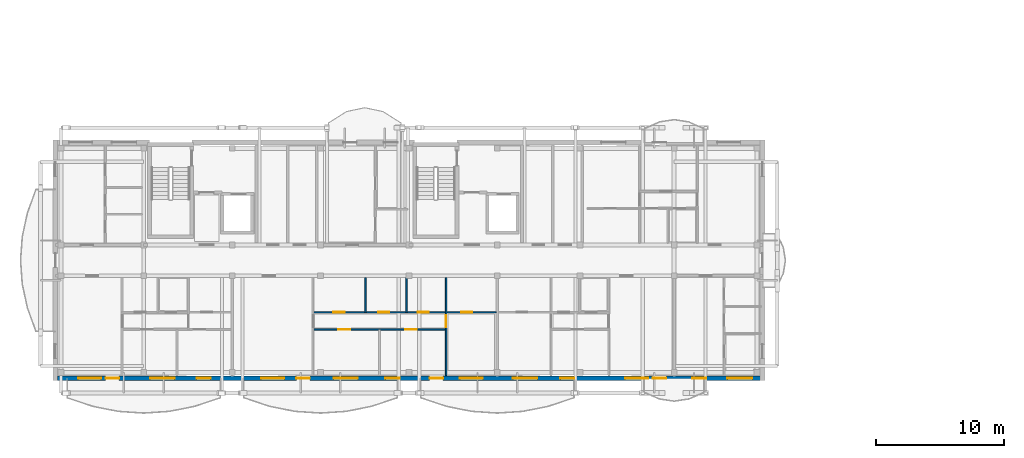
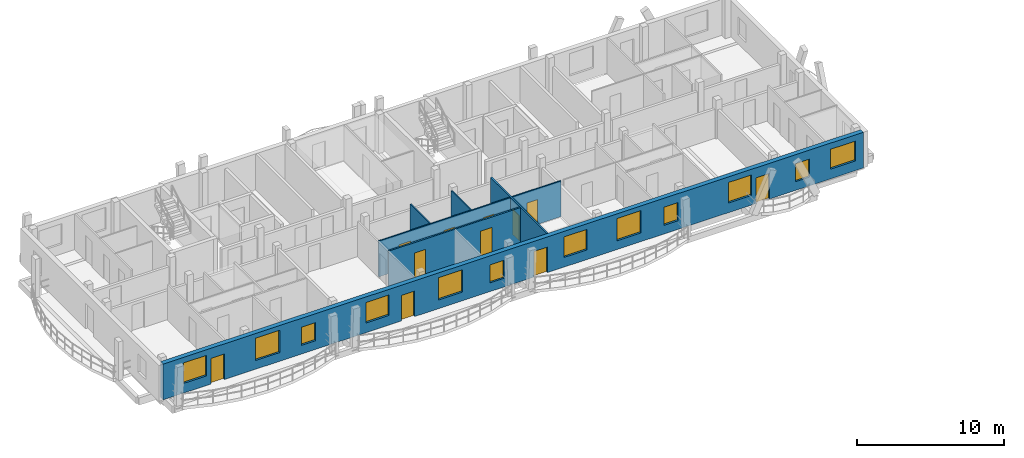
# One storey, part 14 of 41: 12 windows, 11 doors, 6 walls, 23 openings.
"""IFC4 building model written with IfcOpenShell, lengths in metres."""

from ifc_helpers import new_model, si_unit, direction, frame, frame_2d, origin, origin_with_axes, place, context, subcontext, project, spatial, rectangle, extrude, material, layer, layer_set, type_object, element, fill, save


model = new_model("IFC4")

# Units and contexts
model_context = context("Model", 3, precision=1e-05, world=origin(), true_north=direction((0.0, 1.0)))
body_context = subcontext(model_context, "Body", "Model", "MODEL_VIEW")
ifc_project = project(units=[si_unit("LENGTHUNIT", "METRE"), si_unit("AREAUNIT", "SQUARE_METRE"), si_unit("VOLUMEUNIT", "CUBIC_METRE"), si_unit("PLANEANGLEUNIT", "RADIAN"), si_unit("MASSUNIT", "GRAM", prefix="KILO")], contexts=[model_context])

# Site, building, storey
site_placement = place(None, origin())
site = spatial("IfcSite", under=ifc_project, at=site_placement, CompositionType="ELEMENT")
building_placement = place(site_placement, origin())
building = spatial("IfcBuilding", under=site, at=building_placement, Name="Zavelmont Quarter", CompositionType="ELEMENT")
storey_placement = place(building_placement, frame((0.0, 0.0, 27.199951171875)))
storey = spatial("IfcBuildingStorey", under=building, at=storey_placement, Name="L08", CompositionType="ELEMENT", Elevation=27.199951171875)

# Wall, openings, doors, windows
ifc_material_1 = material(Name="Natural Belgian limestone", Category="masonry")
ifc_layer_1 = layer(ifc_material_1, 0.360107421875)
ifc_layer_set_1 = layer_set([ifc_layer_1], Name="Natural Belgian limestone")
wall_type_1 = type_object("IfcWallType", Name="EW02", PredefinedType="STANDARD", material=ifc_layer_set_1)
wall_1_placement = place(storey_placement, frame((0.169921875, 0.0, 0.0), z_axis=(0.0, 0.0, 1.0), x_axis=(1.0, 0.0, 0.0)))
wall_1 = element("IfcWall", 1, at=wall_1_placement, inside=storey, type_object=wall_type_1, Name="L08 exterior limestone wall EW02", PredefinedType="STANDARD", context=body_context, shape_type="SweptSolid", body=[
    extrude(rectangle(XDim=54.860107421875, YDim=0.360107421875, at=frame_2d((27.43017578125, 0.0))), origin(), (0.0, 0.0, 1.0), 2.9599609375),
])
opening_1_placement = place(wall_1_placement, frame((3.75, 0.0, 0.0)))
opening_1 = element("IfcOpeningElement", 2, at=opening_1_placement, cuts=wall_1, Name="Opening DR04A", PredefinedType="OPENING", context=body_context, shape_type="SweptSolid", body=[
    extrude(rectangle(XDim=1.050048828125, YDim=2.1201171875, at=frame_2d((0.52490234375, 1.06005859375))), frame((0.0, 0.19189453125, 0.0), z_axis=(0.0, -1.0, 0.0), x_axis=(1.0, 0.0, 0.0)), (0.0, 0.0, 1.0), 0.384033203125),
])
opening_2_placement = place(wall_1_placement, frame((18.64990234375, 0.0, 0.0)))
opening_2 = element("IfcOpeningElement", 3, at=opening_2_placement, cuts=wall_1, Name="Opening DR04A", PredefinedType="OPENING", context=body_context, shape_type="SweptSolid", body=[
    extrude(rectangle(XDim=1.050048828125, YDim=2.1201171875, at=frame_2d((0.52490234375, 1.06005859375))), frame((0.0, 0.19189453125, 0.0), z_axis=(0.0, -1.0, 0.0), x_axis=(1.0, 0.0, 0.0)), (0.0, 0.0, 1.0), 0.384033203125),
])
opening_3_placement = place(wall_1_placement, frame((29.050048828125, 0.0, 0.0)))
opening_3 = element("IfcOpeningElement", 4, at=opening_3_placement, cuts=wall_1, Name="Opening DR04A", PredefinedType="OPENING", context=body_context, shape_type="SweptSolid", body=[
    extrude(rectangle(XDim=1.050048828125, YDim=2.1201171875, at=frame_2d((0.52490234375, 1.06005859375))), frame((0.0, 0.19189453125, 0.0), z_axis=(0.0, -1.0, 0.0), x_axis=(1.0, 0.0, 0.0)), (0.0, 0.0, 1.0), 0.384033203125),
])
opening_4_placement = place(wall_1_placement, frame((46.447265625, 0.0, 0.0)))
opening_4 = element("IfcOpeningElement", 5, at=opening_4_placement, cuts=wall_1, Name="Opening DR04A", PredefinedType="OPENING", context=body_context, shape_type="SweptSolid", body=[
    extrude(rectangle(XDim=1.050048828125, YDim=2.1201171875, at=frame_2d((0.52490234375, 1.06005859375))), frame((0.0, 0.19189453125, 0.0), z_axis=(0.0, -1.0, 0.0), x_axis=(1.0, 0.0, 0.0)), (0.0, 0.0, 1.0), 0.384033203125),
])
opening_5_placement = place(wall_1_placement, frame((1.60009765625, 0.0, 0.800048828125)))
opening_5 = element("IfcOpeningElement", 6, at=opening_5_placement, cuts=wall_1, Name="Opening WN02", PredefinedType="OPENING", context=body_context, shape_type="SweptSolid", body=[
    extrude(rectangle(XDim=1.800048828125, YDim=1.699951171875, at=frame_2d((0.89990234375, 0.85009765625))), frame((0.0, 0.19189453125, 0.0), z_axis=(0.0, -1.0, 0.0), x_axis=(1.0, 0.0, 0.0)), (0.0, 0.0, 1.0), 0.384033203125),
])
opening_6_placement = place(wall_1_placement, frame((7.232421875, 0.0, 0.719970703125)))
opening_6 = element("IfcOpeningElement", 7, at=opening_6_placement, cuts=wall_1, Name="Opening WN20", PredefinedType="OPENING", context=body_context, shape_type="SweptSolid", body=[
    extrude(rectangle(XDim=1.89990234375, YDim=1.85009765625, at=frame_2d((0.949951171875, 0.925048828125))), frame((0.0, 0.19189453125, 0.0), z_axis=(0.0, -1.0, 0.0), x_axis=(1.0, 0.0, 0.0)), (0.0, 0.0, 1.0), 0.384033203125),
])
opening_7_placement = place(wall_1_placement, frame((10.85009765625, 0.0, 0.719970703125)))
opening_7 = element("IfcOpeningElement", 8, at=opening_7_placement, cuts=wall_1, Name="Opening WN09", PredefinedType="OPENING", context=body_context, shape_type="SweptSolid", body=[
    extrude(rectangle(XDim=1.10009765625, YDim=1.5, at=frame_2d((0.550048828125, 0.75))), frame((0.0, 0.19189453125, 0.0), z_axis=(0.0, -1.0, 0.0), x_axis=(1.0, 0.0, 0.0)), (0.0, 0.0, 1.0), 0.384033203125),
])
opening_8_placement = place(wall_1_placement, frame((15.89990234375, 0.0, 0.800048828125)))
opening_8 = element("IfcOpeningElement", 9, at=opening_8_placement, cuts=wall_1, Name="Opening WN02", PredefinedType="OPENING", context=body_context, shape_type="SweptSolid", body=[
    extrude(rectangle(XDim=1.800048828125, YDim=1.699951171875, at=frame_2d((0.89990234375, 0.85009765625))), frame((0.0, 0.19189453125, 0.0), z_axis=(0.0, -1.0, 0.0), x_axis=(1.0, 0.0, 0.0)), (0.0, 0.0, 1.0), 0.384033203125),
])
opening_9_placement = place(wall_1_placement, frame((21.550048828125, 0.0, 0.719970703125)))
opening_9 = element("IfcOpeningElement", 10, at=opening_9_placement, cuts=wall_1, Name="Opening WN20", PredefinedType="OPENING", context=body_context, shape_type="SweptSolid", body=[
    extrude(rectangle(XDim=1.89990234375, YDim=1.85009765625, at=frame_2d((0.949951171875, 0.925048828125))), frame((0.0, 0.19189453125, 0.0), z_axis=(0.0, -1.0, 0.0), x_axis=(1.0, 0.0, 0.0)), (0.0, 0.0, 1.0), 0.384033203125),
])
opening_10_placement = place(wall_1_placement, frame((25.60009765625, 0.0, 0.719970703125)))
opening_10 = element("IfcOpeningElement", 11, at=opening_10_placement, cuts=wall_1, Name="Opening WN09", PredefinedType="OPENING", context=body_context, shape_type="SweptSolid", body=[
    extrude(rectangle(XDim=1.10009765625, YDim=1.5, at=frame_2d((0.550048828125, 0.75))), frame((0.0, 0.19189453125, 0.0), z_axis=(0.0, -1.0, 0.0), x_axis=(1.0, 0.0, 0.0)), (0.0, 0.0, 1.0), 0.384033203125),
])
opening_11_placement = place(wall_1_placement, frame((31.39990234375, 0.0, 0.800048828125)))
opening_11 = element("IfcOpeningElement", 12, at=opening_11_placement, cuts=wall_1, Name="Opening WN02", PredefinedType="OPENING", context=body_context, shape_type="SweptSolid", body=[
    extrude(rectangle(XDim=1.800048828125, YDim=1.699951171875, at=frame_2d((0.89990234375, 0.85009765625))), frame((0.0, 0.19189453125, 0.0), z_axis=(0.0, -1.0, 0.0), x_axis=(1.0, 0.0, 0.0)), (0.0, 0.0, 1.0), 0.384033203125),
])
opening_12_placement = place(wall_1_placement, frame((35.550048828125, 0.0, 0.719970703125)))
opening_12 = element("IfcOpeningElement", 13, at=opening_12_placement, cuts=wall_1, Name="Opening WN20", PredefinedType="OPENING", context=body_context, shape_type="SweptSolid", body=[
    extrude(rectangle(XDim=1.89990234375, YDim=1.85009765625, at=frame_2d((0.949951171875, 0.925048828125))), frame((0.0, 0.19189453125, 0.0), z_axis=(0.0, -1.0, 0.0), x_axis=(1.0, 0.0, 0.0)), (0.0, 0.0, 1.0), 0.384033203125),
])
opening_13_placement = place(wall_1_placement, frame((39.25, 0.0, 0.719970703125)))
opening_13 = element("IfcOpeningElement", 14, at=opening_13_placement, cuts=wall_1, Name="Opening WN09", PredefinedType="OPENING", context=body_context, shape_type="SweptSolid", body=[
    extrude(rectangle(XDim=1.10009765625, YDim=1.5, at=frame_2d((0.550048828125, 0.75))), frame((0.0, 0.19189453125, 0.0), z_axis=(0.0, -1.0, 0.0), x_axis=(1.0, 0.0, 0.0)), (0.0, 0.0, 1.0), 0.384033203125),
])
opening_14_placement = place(wall_1_placement, frame((44.300048828125, 0.0, 0.800048828125)))
opening_14 = element("IfcOpeningElement", 15, at=opening_14_placement, cuts=wall_1, Name="Opening WN02", PredefinedType="OPENING", context=body_context, shape_type="SweptSolid", body=[
    extrude(rectangle(XDim=1.800048828125, YDim=1.699951171875, at=frame_2d((0.89990234375, 0.85009765625))), frame((0.0, 0.19189453125, 0.0), z_axis=(0.0, -1.0, 0.0), x_axis=(1.0, 0.0, 0.0)), (0.0, 0.0, 1.0), 0.384033203125),
])
opening_15_placement = place(wall_1_placement, frame((49.550048828125, 0.0, 0.719970703125)))
opening_15 = element("IfcOpeningElement", 16, at=opening_15_placement, cuts=wall_1, Name="Opening WN09", PredefinedType="OPENING", context=body_context, shape_type="SweptSolid", body=[
    extrude(rectangle(XDim=1.10009765625, YDim=1.5, at=frame_2d((0.550048828125, 0.75))), frame((0.0, 0.19189453125, 0.0), z_axis=(0.0, -1.0, 0.0), x_axis=(1.0, 0.0, 0.0)), (0.0, 0.0, 1.0), 0.384033203125),
])
opening_16_placement = place(wall_1_placement, frame((52.2900390625, 0.0, 0.800048828125)))
opening_16 = element("IfcOpeningElement", 17, at=opening_16_placement, cuts=wall_1, Name="Opening WN24", PredefinedType="OPENING", context=body_context, shape_type="SweptSolid", body=[
    extrude(rectangle(XDim=1.949951171875, YDim=1.64990234375, at=frame_2d((0.97509765625, 0.824951171875))), frame((0.0, 0.19189453125, 0.0), z_axis=(0.0, -1.0, 0.0), x_axis=(1.0, 0.0, 0.0)), (0.0, 0.0, 1.0), 0.384033203125),
])
ifc_material_2 = material(Name="Thermally broken aluminium and double safety glass", Category="aluminium")
door_type_1 = type_object("IfcDoorType", Name="DR04A", OperationType="NOTDEFINED", PredefinedType="DOOR", material=ifc_material_2)
door_1_placement = place(opening_1_placement, origin_with_axes())
door_1 = element("IfcDoor", 18, at=door_1_placement, inside=storey, type_object=door_type_1, Name="Block A L08 glazed balcony door", OperationType="SINGLE_SWING_RIGHT", OverallHeight=2.1201171875, OverallWidth=1.050048828125, PredefinedType="DOOR", context=body_context, shape_type="SweptSolid", body=[
    extrude(rectangle(XDim=1.050048828125, YDim=2.1201171875, at=frame_2d((0.52490234375, 1.06005859375))), frame((0.0, 0.02490234375, 0.0), z_axis=(0.0, -1.0, 0.0), x_axis=(1.0, 0.0, 0.0)), (0.0, 0.0, 1.0), 0.050048828125),
])
fill(opening_1, door_1)
door_2_placement = place(opening_2_placement, origin_with_axes())
door_2 = element("IfcDoor", 19, at=door_2_placement, inside=storey, type_object=door_type_1, Name="Block A L08 glazed balcony door", OperationType="SINGLE_SWING_RIGHT", OverallHeight=2.1201171875, OverallWidth=1.050048828125, PredefinedType="DOOR", context=body_context, shape_type="SweptSolid", body=[
    extrude(rectangle(XDim=1.050048828125, YDim=2.1201171875, at=frame_2d((0.52490234375, 1.06005859375))), frame((0.0, 0.02490234375, 0.0), z_axis=(0.0, -1.0, 0.0), x_axis=(1.0, 0.0, 0.0)), (0.0, 0.0, 1.0), 0.050048828125),
])
fill(opening_2, door_2)
door_3_placement = place(opening_3_placement, origin_with_axes())
door_3 = element("IfcDoor", 20, at=door_3_placement, inside=storey, type_object=door_type_1, Name="Block A L08 glazed balcony door", OperationType="SINGLE_SWING_RIGHT", OverallHeight=2.1201171875, OverallWidth=1.050048828125, PredefinedType="DOOR", context=body_context, shape_type="SweptSolid", body=[
    extrude(rectangle(XDim=1.050048828125, YDim=2.1201171875, at=frame_2d((0.52490234375, 1.06005859375))), frame((0.0, 0.02490234375, 0.0), z_axis=(0.0, -1.0, 0.0), x_axis=(1.0, 0.0, 0.0)), (0.0, 0.0, 1.0), 0.050048828125),
])
fill(opening_3, door_3)
door_4_placement = place(opening_4_placement, origin_with_axes())
door_4 = element("IfcDoor", 21, at=door_4_placement, inside=storey, type_object=door_type_1, Name="Block A L08 glazed balcony door", OperationType="SINGLE_SWING_RIGHT", OverallHeight=2.1201171875, OverallWidth=1.050048828125, PredefinedType="DOOR", context=body_context, shape_type="SweptSolid", body=[
    extrude(rectangle(XDim=1.050048828125, YDim=2.1201171875, at=frame_2d((0.52490234375, 1.06005859375))), frame((0.0, 0.02490234375, 0.0), z_axis=(0.0, -1.0, 0.0), x_axis=(1.0, 0.0, 0.0)), (0.0, 0.0, 1.0), 0.050048828125),
])
fill(opening_4, door_4)
ifc_material_3 = material(Name="Double low-E insulated glazing in thermally broken aluminium frame", Category="aluminium")
window_type_1 = type_object("IfcWindowType", Name="WN02", PartitioningType="SINGLE_PANEL", PredefinedType="WINDOW", material=ifc_material_3)
window_1_placement = place(opening_5_placement, origin_with_axes())
window_1 = element("IfcWindow", 22, at=window_1_placement, inside=storey, type_object=window_type_1, Name="L08 window WN02", OverallHeight=1.699951171875, OverallWidth=1.800048828125, PartitioningType="SINGLE_PANEL", PredefinedType="WINDOW", context=body_context, shape_type="SweptSolid", body=[
    extrude(rectangle(XDim=1.800048828125, YDim=1.699951171875, at=frame_2d((0.89990234375, 0.85009765625))), frame((0.0, 0.030029296875, 0.0), z_axis=(0.0, -1.0, 0.0), x_axis=(1.0, 0.0, 0.0)), (0.0, 0.0, 1.0), 0.06005859375),
])
fill(opening_5, window_1)
window_2_placement = place(opening_8_placement, origin_with_axes())
window_2 = element("IfcWindow", 23, at=window_2_placement, inside=storey, type_object=window_type_1, Name="L08 window WN02", OverallHeight=1.699951171875, OverallWidth=1.800048828125, PartitioningType="SINGLE_PANEL", PredefinedType="WINDOW", context=body_context, shape_type="SweptSolid", body=[
    extrude(rectangle(XDim=1.800048828125, YDim=1.699951171875, at=frame_2d((0.89990234375, 0.85009765625))), frame((0.0, 0.030029296875, 0.0), z_axis=(0.0, -1.0, 0.0), x_axis=(1.0, 0.0, 0.0)), (0.0, 0.0, 1.0), 0.06005859375),
])
fill(opening_8, window_2)
window_3_placement = place(opening_11_placement, origin_with_axes())
window_3 = element("IfcWindow", 24, at=window_3_placement, inside=storey, type_object=window_type_1, Name="L08 window WN02", OverallHeight=1.699951171875, OverallWidth=1.800048828125, PartitioningType="SINGLE_PANEL", PredefinedType="WINDOW", context=body_context, shape_type="SweptSolid", body=[
    extrude(rectangle(XDim=1.800048828125, YDim=1.699951171875, at=frame_2d((0.89990234375, 0.85009765625))), frame((0.0, 0.030029296875, 0.0), z_axis=(0.0, -1.0, 0.0), x_axis=(1.0, 0.0, 0.0)), (0.0, 0.0, 1.0), 0.06005859375),
])
fill(opening_11, window_3)
window_4_placement = place(opening_14_placement, origin_with_axes())
window_4 = element("IfcWindow", 25, at=window_4_placement, inside=storey, type_object=window_type_1, Name="L08 window WN02", OverallHeight=1.699951171875, OverallWidth=1.800048828125, PartitioningType="SINGLE_PANEL", PredefinedType="WINDOW", context=body_context, shape_type="SweptSolid", body=[
    extrude(rectangle(XDim=1.800048828125, YDim=1.699951171875, at=frame_2d((0.89990234375, 0.85009765625))), frame((0.0, 0.030029296875, 0.0), z_axis=(0.0, -1.0, 0.0), x_axis=(1.0, 0.0, 0.0)), (0.0, 0.0, 1.0), 0.06005859375),
])
fill(opening_14, window_4)
window_type_2 = type_object("IfcWindowType", Name="WN09", PartitioningType="SINGLE_PANEL", PredefinedType="WINDOW", material=ifc_material_3)
window_5_placement = place(opening_7_placement, origin_with_axes())
window_5 = element("IfcWindow", 26, at=window_5_placement, inside=storey, type_object=window_type_2, Name="L08 window WN09", OverallHeight=1.5, OverallWidth=1.10009765625, PartitioningType="SINGLE_PANEL", PredefinedType="WINDOW", context=body_context, shape_type="SweptSolid", body=[
    extrude(rectangle(XDim=1.10009765625, YDim=1.5, at=frame_2d((0.550048828125, 0.75))), frame((0.0, 0.030029296875, 0.0), z_axis=(0.0, -1.0, 0.0), x_axis=(1.0, 0.0, 0.0)), (0.0, 0.0, 1.0), 0.06005859375),
])
fill(opening_7, window_5)
window_6_placement = place(opening_10_placement, origin_with_axes())
window_6 = element("IfcWindow", 27, at=window_6_placement, inside=storey, type_object=window_type_2, Name="L08 window WN09", OverallHeight=1.5, OverallWidth=1.10009765625, PartitioningType="SINGLE_PANEL", PredefinedType="WINDOW", context=body_context, shape_type="SweptSolid", body=[
    extrude(rectangle(XDim=1.10009765625, YDim=1.5, at=frame_2d((0.550048828125, 0.75))), frame((0.0, 0.030029296875, 0.0), z_axis=(0.0, -1.0, 0.0), x_axis=(1.0, 0.0, 0.0)), (0.0, 0.0, 1.0), 0.06005859375),
])
fill(opening_10, window_6)
window_7_placement = place(opening_13_placement, origin_with_axes())
window_7 = element("IfcWindow", 28, at=window_7_placement, inside=storey, type_object=window_type_2, Name="L08 window WN09", OverallHeight=1.5, OverallWidth=1.10009765625, PartitioningType="SINGLE_PANEL", PredefinedType="WINDOW", context=body_context, shape_type="SweptSolid", body=[
    extrude(rectangle(XDim=1.10009765625, YDim=1.5, at=frame_2d((0.550048828125, 0.75))), frame((0.0, 0.030029296875, 0.0), z_axis=(0.0, -1.0, 0.0), x_axis=(1.0, 0.0, 0.0)), (0.0, 0.0, 1.0), 0.06005859375),
])
fill(opening_13, window_7)
window_8_placement = place(opening_15_placement, origin_with_axes())
window_8 = element("IfcWindow", 29, at=window_8_placement, inside=storey, type_object=window_type_2, Name="L08 window WN09", OverallHeight=1.5, OverallWidth=1.10009765625, PartitioningType="SINGLE_PANEL", PredefinedType="WINDOW", context=body_context, shape_type="SweptSolid", body=[
    extrude(rectangle(XDim=1.10009765625, YDim=1.5, at=frame_2d((0.550048828125, 0.75))), frame((0.0, 0.030029296875, 0.0), z_axis=(0.0, -1.0, 0.0), x_axis=(1.0, 0.0, 0.0)), (0.0, 0.0, 1.0), 0.06005859375),
])
fill(opening_15, window_8)
window_type_3 = type_object("IfcWindowType", Name="WN20", PartitioningType="SINGLE_PANEL", PredefinedType="WINDOW", material=ifc_material_3)
window_9_placement = place(opening_6_placement, origin_with_axes())
window_9 = element("IfcWindow", 30, at=window_9_placement, inside=storey, type_object=window_type_3, Name="L08 window WN20", OverallHeight=1.85009765625, OverallWidth=1.89990234375, PartitioningType="SINGLE_PANEL", PredefinedType="WINDOW", context=body_context, shape_type="SweptSolid", body=[
    extrude(rectangle(XDim=1.89990234375, YDim=1.85009765625, at=frame_2d((0.949951171875, 0.925048828125))), frame((0.0, 0.030029296875, 0.0), z_axis=(0.0, -1.0, 0.0), x_axis=(1.0, 0.0, 0.0)), (0.0, 0.0, 1.0), 0.06005859375),
])
fill(opening_6, window_9)
window_10_placement = place(opening_9_placement, origin_with_axes())
window_10 = element("IfcWindow", 31, at=window_10_placement, inside=storey, type_object=window_type_3, Name="L08 window WN20", OverallHeight=1.85009765625, OverallWidth=1.89990234375, PartitioningType="SINGLE_PANEL", PredefinedType="WINDOW", context=body_context, shape_type="SweptSolid", body=[
    extrude(rectangle(XDim=1.89990234375, YDim=1.85009765625, at=frame_2d((0.949951171875, 0.925048828125))), frame((0.0, 0.030029296875, 0.0), z_axis=(0.0, -1.0, 0.0), x_axis=(1.0, 0.0, 0.0)), (0.0, 0.0, 1.0), 0.06005859375),
])
fill(opening_9, window_10)
window_11_placement = place(opening_12_placement, origin_with_axes())
window_11 = element("IfcWindow", 32, at=window_11_placement, inside=storey, type_object=window_type_3, Name="L08 window WN20", OverallHeight=1.85009765625, OverallWidth=1.89990234375, PartitioningType="SINGLE_PANEL", PredefinedType="WINDOW", context=body_context, shape_type="SweptSolid", body=[
    extrude(rectangle(XDim=1.89990234375, YDim=1.85009765625, at=frame_2d((0.949951171875, 0.925048828125))), frame((0.0, 0.030029296875, 0.0), z_axis=(0.0, -1.0, 0.0), x_axis=(1.0, 0.0, 0.0)), (0.0, 0.0, 1.0), 0.06005859375),
])
fill(opening_12, window_11)
window_type_4 = type_object("IfcWindowType", Name="WN24", PartitioningType="SINGLE_PANEL", PredefinedType="WINDOW", material=ifc_material_3)
window_12_placement = place(opening_16_placement, origin_with_axes())
window_12 = element("IfcWindow", 33, at=window_12_placement, inside=storey, type_object=window_type_4, Name="L08 window WN24", OverallHeight=1.64990234375, OverallWidth=1.949951171875, PartitioningType="SINGLE_PANEL", PredefinedType="WINDOW", context=body_context, shape_type="SweptSolid", body=[
    extrude(rectangle(XDim=1.949951171875, YDim=1.64990234375, at=frame_2d((0.97509765625, 0.824951171875))), frame((0.0, 0.030029296875, 0.0), z_axis=(0.0, -1.0, 0.0), x_axis=(1.0, 0.0, 0.0)), (0.0, 0.0, 1.0), 0.06005859375),
])
fill(opening_16, window_12)

# Wall, opening, door
ifc_material_4 = material(Name="Double gypsum board on acoustic steel stud", Category="steel")
ifc_layer_2 = layer(ifc_material_4, 0.125)
ifc_layer_set_2 = layer_set([ifc_layer_2], Name="Double gypsum board on acoustic steel stud")
wall_type_2 = type_object("IfcWallType", Name="IW03", PredefinedType="PARTITIONING", material=ifc_layer_set_2)
wall_2_placement = place(storey_placement, frame((30.5, 7.85009765625, 0.0), z_axis=(0.0, 0.0, 1.0), x_axis=(0.0, -1.0, 0.0)))
wall_2 = element("IfcWall", 34, at=wall_2_placement, inside=storey, type_object=wall_type_2, Name="L08 Partition IW03", PredefinedType="PARTITIONING", context=body_context, shape_type="SweptSolid", body=[
    extrude(rectangle(XDim=7.650146484375, YDim=0.125, at=frame_2d((3.8251953125, 0.0))), origin(), (0.0, 0.0, 1.0), 2.9599609375),
])
opening_17_placement = place(wall_2_placement, frame((2.949951171875, 0.0, 0.0)))
opening_17 = element("IfcOpeningElement", 35, at=opening_17_placement, cuts=wall_2, Name="Opening DR05", PredefinedType="OPENING", context=body_context, shape_type="SweptSolid", body=[
    extrude(rectangle(XDim=0.89990234375, YDim=2.10009765625, at=frame_2d((0.449951171875, 1.050048828125))), frame((0.0, 0.074462890625, 0.0), z_axis=(0.0, -1.0, 0.0), x_axis=(1.0, 0.0, 0.0)), (0.0, 0.0, 1.0), 0.14892578125),
])
ifc_material_5 = material(Name="Engineered oak flush interior door")
door_type_2 = type_object("IfcDoorType", Name="DR05", OperationType="NOTDEFINED", PredefinedType="DOOR", material=ifc_material_5)
door_5_placement = place(opening_17_placement, origin_with_axes())
door_5 = element("IfcDoor", 36, at=door_5_placement, inside=storey, type_object=door_type_2, Name="L08 door DR05", OperationType="SINGLE_SWING_RIGHT", OverallHeight=2.10009765625, OverallWidth=0.89990234375, PredefinedType="DOOR", context=body_context, shape_type="SweptSolid", body=[
    extrude(rectangle(XDim=0.89990234375, YDim=2.10009765625, at=frame_2d((0.449951171875, 1.050048828125))), frame((0.0, 0.02490234375, 0.0), z_axis=(0.0, -1.0, 0.0), x_axis=(1.0, 0.0, 0.0)), (0.0, 0.0, 1.0), 0.050048828125),
])
fill(opening_17, door_5)

# Wall, openings, doors
wall_3_placement = place(storey_placement, frame((20.10009765625, 3.800048828125, 0.0), z_axis=(0.0, 0.0, 1.0), x_axis=(1.0, 0.0, 0.0)))
wall_3 = element("IfcWall", 37, at=wall_3_placement, inside=storey, type_object=wall_type_2, Name="L08 Partition IW03", PredefinedType="PARTITIONING", context=body_context, shape_type="SweptSolid", body=[
    extrude(rectangle(XDim=10.39990234375, YDim=0.125, at=frame_2d((5.199951171875, 0.0))), origin(), (0.0, 0.0, 1.0), 2.9599609375),
])
opening_18_placement = place(wall_3_placement, frame((2.0, 0.0, 0.0)))
opening_18 = element("IfcOpeningElement", 38, at=opening_18_placement, cuts=wall_3, Name="Opening DR05", PredefinedType="OPENING", context=body_context, shape_type="SweptSolid", body=[
    extrude(rectangle(XDim=0.89990234375, YDim=2.10009765625, at=frame_2d((0.449951171875, 1.050048828125))), frame((0.0, 0.074462890625, 0.0), z_axis=(0.0, -1.0, 0.0), x_axis=(1.0, 0.0, 0.0)), (0.0, 0.0, 1.0), 0.14892578125),
])
opening_19_placement = place(wall_3_placement, frame((7.199951171875, 0.0, 0.0)))
opening_19 = element("IfcOpeningElement", 39, at=opening_19_placement, cuts=wall_3, Name="Opening DR05", PredefinedType="OPENING", context=body_context, shape_type="SweptSolid", body=[
    extrude(rectangle(XDim=0.89990234375, YDim=2.10009765625, at=frame_2d((0.449951171875, 1.050048828125))), frame((0.0, 0.074462890625, 0.0), z_axis=(0.0, -1.0, 0.0), x_axis=(1.0, 0.0, 0.0)), (0.0, 0.0, 1.0), 0.14892578125),
])
door_6_placement = place(opening_18_placement, frame((0.89990234375, 0.0, 0.0), z_axis=(0.0, 0.0, 1.0), x_axis=(-1.0, 0.0, 0.0)))
door_6 = element("IfcDoor", 40, at=door_6_placement, inside=storey, type_object=door_type_2, Name="L08 door DR05", OperationType="SINGLE_SWING_LEFT", OverallHeight=2.10009765625, OverallWidth=0.89990234375, PredefinedType="DOOR", context=body_context, shape_type="SweptSolid", body=[
    extrude(rectangle(XDim=0.89990234375, YDim=2.10009765625, at=frame_2d((0.449951171875, 1.050048828125))), frame((0.0, 0.02490234375, 0.0), z_axis=(0.0, -1.0, 0.0), x_axis=(1.0, 0.0, 0.0)), (0.0, 0.0, 1.0), 0.050048828125),
])
fill(opening_18, door_6)
door_7_placement = place(opening_19_placement, origin_with_axes())
door_7 = element("IfcDoor", 41, at=door_7_placement, inside=storey, type_object=door_type_2, Name="L08 door DR05", OperationType="SINGLE_SWING_RIGHT", OverallHeight=2.10009765625, OverallWidth=0.89990234375, PredefinedType="DOOR", context=body_context, shape_type="SweptSolid", body=[
    extrude(rectangle(XDim=0.89990234375, YDim=2.10009765625, at=frame_2d((0.449951171875, 1.050048828125))), frame((0.0, 0.02490234375, 0.0), z_axis=(0.0, -1.0, 0.0), x_axis=(1.0, 0.0, 0.0)), (0.0, 0.0, 1.0), 0.050048828125),
])
fill(opening_19, door_7)

# Walls
ifc_material_6 = material(Name="Moisture-resistant gypsum board on steel stud", Category="steel")
ifc_layer_3 = layer(ifc_material_6, 0.10009765625)
ifc_layer_set_3 = layer_set([ifc_layer_3], Name="Moisture-resistant gypsum board on steel stud")
wall_type_3 = type_object("IfcWallType", Name="IW04", PredefinedType="PARTITIONING", material=ifc_layer_set_3)
for number, where, z_axis, x_axis, name in (
    (42, (24.199951171875, 7.85009765625, 0.0), (0.0, 0.0, 1.0), (0.0, -1.0, 0.0), "L08 Partition IW04"),
    (43, (27.39990234375, 7.85009765625, 0.0), (0.0, 0.0, 1.0), (0.0, -1.0, 0.0), "L08 Partition IW04"),
):
    element("IfcWall", number, at=place(storey_placement, frame(where, z_axis=z_axis, x_axis=x_axis)), inside=storey, type_object=wall_type_3, Name=name, PredefinedType="PARTITIONING", context=body_context, shape_type="SweptSolid", body=[
        extrude(rectangle(XDim=2.7001953125, YDim=0.10009765625, at=frame_2d((1.35009765625, 0.0))), origin(), (0.0, 0.0, 1.0), 2.9599609375),
    ])

# Wall, openings, doors
wall_4_placement = place(storey_placement, frame((20.10009765625, 5.14990234375, 0.0), z_axis=(0.0, 0.0, 1.0), x_axis=(1.0, 0.0, 0.0)))
wall_4 = element("IfcWall", 44, at=wall_4_placement, inside=storey, type_object=wall_type_3, Name="L08 Partition IW04", PredefinedType="PARTITIONING", context=body_context, shape_type="SweptSolid", body=[
    extrude(rectangle(XDim=14.2998046875, YDim=0.10009765625, at=frame_2d((7.14990234375, 0.0))), origin(), (0.0, 0.0, 1.0), 2.9599609375),
])
opening_20_placement = place(wall_4_placement, frame((1.60009765625, 0.0, 0.0)))
opening_20 = element("IfcOpeningElement", 45, at=opening_20_placement, cuts=wall_4, Name="Opening DR05", PredefinedType="OPENING", context=body_context, shape_type="SweptSolid", body=[
    extrude(rectangle(XDim=0.89990234375, YDim=2.10009765625, at=frame_2d((0.449951171875, 1.050048828125))), frame((0.0, 0.06201171875, 0.0), z_axis=(0.0, -1.0, 0.0), x_axis=(1.0, 0.0, 0.0)), (0.0, 0.0, 1.0), 0.1240234375),
])
opening_21_placement = place(wall_4_placement, frame((5.10009765625, 0.0, 0.0)))
opening_21 = element("IfcOpeningElement", 46, at=opening_21_placement, cuts=wall_4, Name="Opening DR06", PredefinedType="OPENING", context=body_context, shape_type="SweptSolid", body=[
    extrude(rectangle(XDim=0.85009765625, YDim=2.050048828125, at=frame_2d((0.425048828125, 1.02490234375))), frame((0.0, 0.06201171875, 0.0), z_axis=(0.0, -1.0, 0.0), x_axis=(1.0, 0.0, 0.0)), (0.0, 0.0, 1.0), 0.1240234375),
])
opening_22_placement = place(wall_4_placement, frame((8.199951171875, 0.0, 0.0)))
opening_22 = element("IfcOpeningElement", 47, at=opening_22_placement, cuts=wall_4, Name="Opening DR06", PredefinedType="OPENING", context=body_context, shape_type="SweptSolid", body=[
    extrude(rectangle(XDim=0.85009765625, YDim=2.050048828125, at=frame_2d((0.425048828125, 1.02490234375))), frame((0.0, 0.06201171875, 0.0), z_axis=(0.0, -1.0, 0.0), x_axis=(1.0, 0.0, 0.0)), (0.0, 0.0, 1.0), 0.1240234375),
])
opening_23_placement = place(wall_4_placement, frame((11.60009765625, 0.0, 0.0)))
opening_23 = element("IfcOpeningElement", 48, at=opening_23_placement, cuts=wall_4, Name="Opening DR06", PredefinedType="OPENING", context=body_context, shape_type="SweptSolid", body=[
    extrude(rectangle(XDim=0.85009765625, YDim=2.050048828125, at=frame_2d((0.425048828125, 1.02490234375))), frame((0.0, 0.06201171875, 0.0), z_axis=(0.0, -1.0, 0.0), x_axis=(1.0, 0.0, 0.0)), (0.0, 0.0, 1.0), 0.1240234375),
])
door_8_placement = place(opening_20_placement, frame((0.89990234375, 0.0, 0.0), z_axis=(0.0, 0.0, 1.0), x_axis=(-1.0, 0.0, 0.0)))
door_8 = element("IfcDoor", 49, at=door_8_placement, inside=storey, type_object=door_type_2, Name="L08 door DR05", OperationType="SINGLE_SWING_LEFT", OverallHeight=2.10009765625, OverallWidth=0.89990234375, PredefinedType="DOOR", context=body_context, shape_type="SweptSolid", body=[
    extrude(rectangle(XDim=0.89990234375, YDim=2.10009765625, at=frame_2d((0.449951171875, 1.050048828125))), frame((0.0, 0.02490234375, 0.0), z_axis=(0.0, -1.0, 0.0), x_axis=(1.0, 0.0, 0.0)), (0.0, 0.0, 1.0), 0.050048828125),
])
fill(opening_20, door_8)
ifc_material_7 = material(Name="Moisture-resistant painted wet-room door")
door_type_3 = type_object("IfcDoorType", Name="DR06", OperationType="NOTDEFINED", PredefinedType="DOOR", material=ifc_material_7)
door_9_placement = place(opening_21_placement, origin_with_axes())
door_9 = element("IfcDoor", 50, at=door_9_placement, inside=storey, type_object=door_type_3, Name="L08 door DR06", OperationType="SINGLE_SWING_RIGHT", OverallHeight=2.050048828125, OverallWidth=0.85009765625, PredefinedType="DOOR", context=body_context, shape_type="SweptSolid", body=[
    extrude(rectangle(XDim=0.85009765625, YDim=2.050048828125, at=frame_2d((0.425048828125, 1.02490234375))), frame((0.0, 0.02490234375, 0.0), z_axis=(0.0, -1.0, 0.0), x_axis=(1.0, 0.0, 0.0)), (0.0, 0.0, 1.0), 0.050048828125),
])
fill(opening_21, door_9)
door_10_placement = place(opening_22_placement, frame((0.85009765625, 0.0, 0.0), z_axis=(0.0, 0.0, 1.0), x_axis=(-1.0, 0.0, 0.0)))
door_10 = element("IfcDoor", 51, at=door_10_placement, inside=storey, type_object=door_type_3, Name="L08 door DR06", OperationType="SINGLE_SWING_LEFT", OverallHeight=2.050048828125, OverallWidth=0.85009765625, PredefinedType="DOOR", context=body_context, shape_type="SweptSolid", body=[
    extrude(rectangle(XDim=0.85009765625, YDim=2.050048828125, at=frame_2d((0.425048828125, 1.02490234375))), frame((0.0, 0.02490234375, 0.0), z_axis=(0.0, -1.0, 0.0), x_axis=(1.0, 0.0, 0.0)), (0.0, 0.0, 1.0), 0.050048828125),
])
fill(opening_22, door_10)
door_11_placement = place(opening_23_placement, origin_with_axes())
door_11 = element("IfcDoor", 52, at=door_11_placement, inside=storey, type_object=door_type_3, Name="L08 door DR06", OperationType="SINGLE_SWING_RIGHT", OverallHeight=2.050048828125, OverallWidth=0.85009765625, PredefinedType="DOOR", context=body_context, shape_type="SweptSolid", body=[
    extrude(rectangle(XDim=0.85009765625, YDim=2.050048828125, at=frame_2d((0.425048828125, 1.02490234375))), frame((0.0, 0.02490234375, 0.0), z_axis=(0.0, -1.0, 0.0), x_axis=(1.0, 0.0, 0.0)), (0.0, 0.0, 1.0), 0.050048828125),
])
fill(opening_23, door_11)

save(model, "model.ifc")
